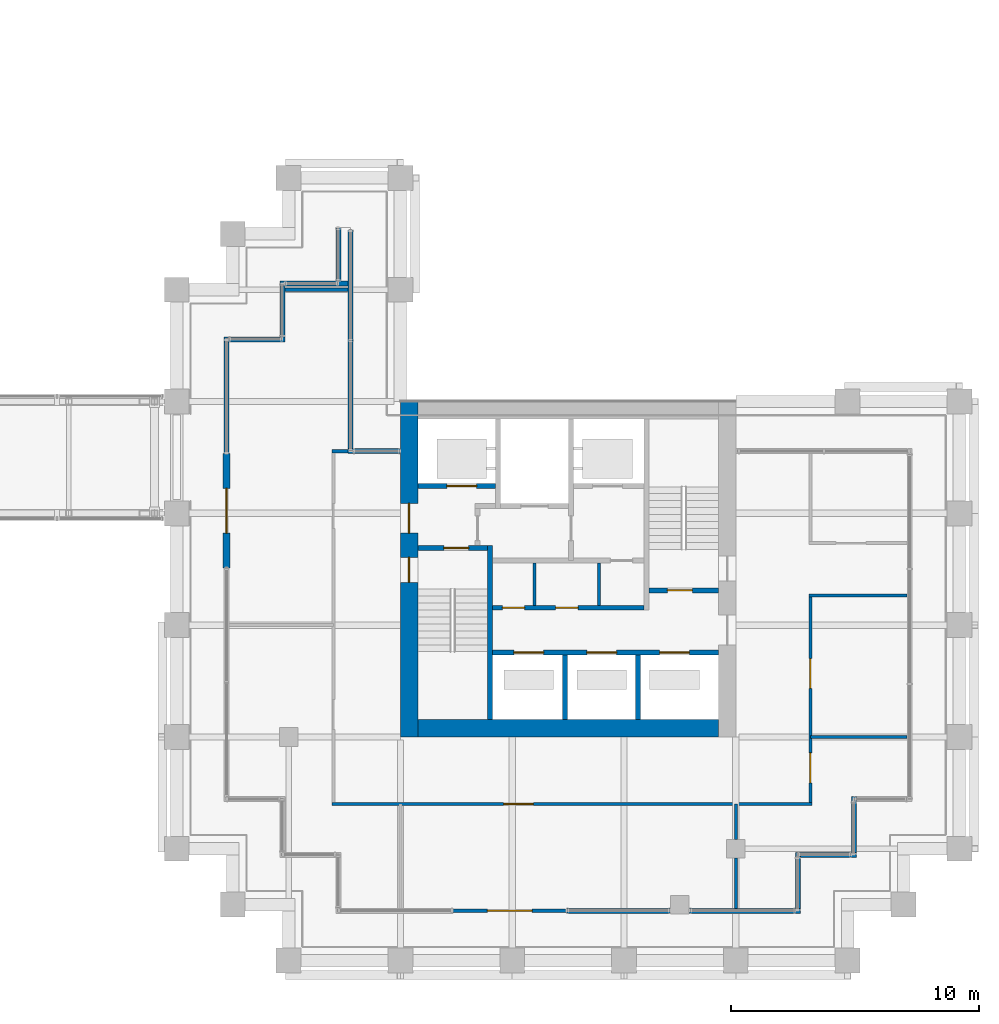
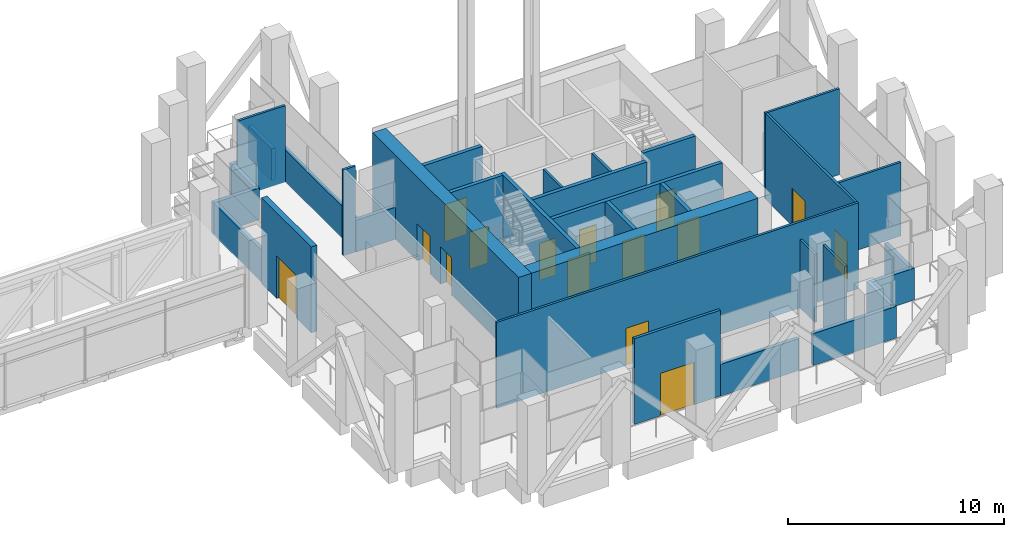
# One storey, part 35 of 48: 34 walls, 15 doors, 15 openings.
"""IFC4 building model written with IfcOpenShell, lengths in metres."""

from ifc_helpers import new_model, si_unit, direction, frame, frame_2d, origin, place, context, subcontext, project, spatial, rectangle, extrude, material, layer, layer_set, type_object, element, fill, save


model = new_model("IFC4")

# Units and contexts
model_context = context("Model", 3, precision=1e-05, world=origin(), true_north=direction((0.0, 1.0)))
body_context = subcontext(model_context, "Body", "Model", "MODEL_VIEW")
ifc_project = project(units=[si_unit("LENGTHUNIT", "METRE"), si_unit("AREAUNIT", "SQUARE_METRE"), si_unit("VOLUMEUNIT", "CUBIC_METRE"), si_unit("PLANEANGLEUNIT", "RADIAN"), si_unit("MASSUNIT", "GRAM", prefix="KILO")], contexts=[model_context])

# Site, building, storey
site_placement = place(None, origin())
site = spatial("IfcSite", under=ifc_project, at=site_placement, CompositionType="ELEMENT")
building_placement = place(site_placement, origin())
building = spatial("IfcBuilding", under=site, at=building_placement, Name="Altepetl Exchange Towers", CompositionType="ELEMENT")
storey_placement = place(building_placement, frame((0.0, 0.0, 138.800048828125)))
storey = spatial("IfcBuildingStorey", under=building, at=storey_placement, Name="L34 Refuge and sky lobby", CompositionType="ELEMENT", Elevation=138.800048828125)

# Wall
ifc_material_1 = material(Name="Concrete C70/85", Category="concrete")
ifc_layer_1 = layer(ifc_material_1, 0.699951171875)
ifc_layer_set_1 = layer_set([ifc_layer_1], Name="Concrete C70/85")
wall_type_1 = type_object("IfcWallType", Name="Core wall 700 reinforced concrete", PredefinedType="SHEAR", material=ifc_layer_set_1)
wall_1_placement = place(storey_placement, frame((104.199951171875, 36.35009765625, 0.0)))
element("IfcWall", 1, at=wall_1_placement, inside=storey, type_object=wall_type_1, Name="wall:B:L34:K-coreS", PredefinedType="SHEAR", context=body_context, shape_type="SweptSolid", body=[
    extrude(rectangle(XDim=12.10009765625, YDim=0.699951171875, at=frame_2d((6.050048828125, 0.0))), origin(), (0.0, 0.0, 1.0), 4.75),
])

# Wall, openings, doors
wall_2_placement = place(storey_placement, frame((103.85009765625, 36.0, 0.0), z_axis=(0.0, 0.0, 1.0), x_axis=(0.0, 1.0, 0.0)))
wall_2 = element("IfcWall", 2, at=wall_2_placement, inside=storey, type_object=wall_type_1, Name="wall:B:L34:K-coreW", PredefinedType="SHEAR", context=body_context, shape_type="SweptSolid", body=[
    extrude(rectangle(XDim=13.5, YDim=0.699951171875, at=frame_2d((6.75, 0.0))), origin(), (0.0, 0.0, 1.0), 4.75),
])
opening_1_placement = place(wall_2_placement, frame((8.199951171875, 0.0, 0.0)))
opening_1 = element("IfcOpeningElement", 3, at=opening_1_placement, cuts=wall_2, Name="Opening L34.B60", PredefinedType="OPENING", context=body_context, shape_type="SweptSolid", body=[
    extrude(rectangle(XDim=1.199951171875, YDim=2.10009765625, at=frame_2d((0.60009765625, 1.050048828125))), frame((0.0, 0.35986328125, 0.0), z_axis=(0.0, -1.0, 0.0), x_axis=(1.0, 0.0, 0.0)), (0.0, 0.0, 1.0), 0.719970703125),
])
opening_2_placement = place(wall_2_placement, frame((6.22509765625, 0.0, 0.0)))
opening_2 = element("IfcOpeningElement", 4, at=opening_2_placement, cuts=wall_2, Name="Opening L34.B63", PredefinedType="OPENING", context=body_context, shape_type="SweptSolid", body=[
    extrude(rectangle(XDim=1.0, YDim=2.10009765625, at=frame_2d((0.5, 1.050048828125))), frame((0.0, 0.35986328125, 0.0), z_axis=(0.0, -1.0, 0.0), x_axis=(1.0, 0.0, 0.0)), (0.0, 0.0, 1.0), 0.719970703125),
])
ifc_material_2 = material(Name="Steel and timber fire door", Category="steel")
door_type_1 = type_object("IfcDoorType", Name="Fire door 1000 x 2100 stair and lobby", OperationType="SINGLE_SWING_LEFT", PredefinedType="DOOR", material=ifc_material_2)
door_1_placement = place(opening_2_placement, frame((1.0, 0.0, 0.0), x_axis=(-1.0, 0.0, 0.0)))
door_1 = element("IfcDoor", 5, at=door_1_placement, inside=storey, type_object=door_type_1, Name="door:B:L34:K-dS1x", OperationType="SINGLE_SWING_RIGHT", OverallHeight=2.10009765625, OverallWidth=1.0, PredefinedType="DOOR", context=body_context, shape_type="SweptSolid", body=[
    extrude(rectangle(XDim=1.0, YDim=2.10009765625, at=frame_2d((0.5, 1.050048828125))), frame((0.0, 0.02490234375, 0.0), z_axis=(0.0, -1.0, 0.0), x_axis=(1.0, 0.0, 0.0)), (0.0, 0.0, 1.0), 0.050048828125),
])
fill(opening_2, door_1)
door_type_2 = type_object("IfcDoorType", Name="Fire door 1200 x 2100 lobby entry", OperationType="SINGLE_SWING_LEFT", PredefinedType="DOOR", material=ifc_material_2)
door_2_placement = place(opening_1_placement, frame((1.199951171875, 0.0, 0.0), x_axis=(-1.0, 0.0, 0.0)))
door_2 = element("IfcDoor", 6, at=door_2_placement, inside=storey, type_object=door_type_2, Name="door:B:L34:K-dLNW", OperationType="SINGLE_SWING_RIGHT", OverallHeight=2.10009765625, OverallWidth=1.199951171875, PredefinedType="DOOR", context=body_context, shape_type="SweptSolid", body=[
    extrude(rectangle(XDim=1.199951171875, YDim=2.10009765625, at=frame_2d((0.60009765625, 1.050048828125))), frame((0.0, 0.02490234375, 0.0), z_axis=(0.0, -1.0, 0.0), x_axis=(1.0, 0.0, 0.0)), (0.0, 0.0, 1.0), 0.050048828125),
])
fill(opening_1, door_2)

# Wall, opening, door
ifc_material_3 = material(Name="Aluminium composite cladding", Category="aluminium")
ifc_layer_2 = layer(ifc_material_3, 0.14990234375)
ifc_layer_set_2 = layer_set([ifc_layer_2], Name="Aluminium composite cladding")
wall_type_2 = type_object("IfcWallType", Name="Infill wall 150 aluminium panel", PredefinedType="SOLIDWALL", material=ifc_layer_set_2)
wall_3_placement = place(storey_placement, frame((105.60009765625, 29.0, 0.0)))
wall_3 = element("IfcWall", 7, at=wall_3_placement, inside=storey, type_object=wall_type_2, Name="Loggia door bay wall", PredefinedType="SOLIDWALL", context=body_context, shape_type="SweptSolid", body=[
    extrude(rectangle(XDim=4.599853515625, YDim=0.14990234375, at=frame_2d((2.2998046875, 0.0))), origin(), (0.0, 0.0, 1.0), 4.849853515625),
])
opening_3_placement = place(wall_3_placement, frame((1.39990234375, 0.0, 0.0)))
opening_3 = element("IfcOpeningElement", 8, at=opening_3_placement, cuts=wall_3, Name="Opening L34.B90", PredefinedType="OPENING", context=body_context, shape_type="SweptSolid", body=[
    extrude(rectangle(XDim=1.800048828125, YDim=2.39990234375, at=frame_2d((0.89990234375, 1.199951171875))), frame((0.0, 0.0849609375, 0.0), z_axis=(0.0, -1.0, 0.0), x_axis=(1.0, 0.0, 0.0)), (0.0, 0.0, 1.0), 0.169921875),
])
ifc_material_4 = material(Name="Aluminium 6063-T6 and glass", Category="aluminium")
door_type_3 = type_object("IfcDoorType", Name="Glazed door pair 1800x2400", OperationType="DOUBLE_DOOR_DOUBLE_SWING", PredefinedType="NOTDEFINED", material=ifc_material_4)
door_3_placement = place(opening_3_placement, frame((1.800048828125, 0.0, 0.0), x_axis=(-1.0, 0.0, 0.0)))
door_3 = element("IfcDoor", 9, at=door_3_placement, inside=storey, type_object=door_type_3, Name="Loggia door", OperationType="DOUBLE_DOOR_DOUBLE_SWING", OverallHeight=2.39990234375, OverallWidth=1.800048828125, PredefinedType="NOTDEFINED", context=body_context, shape_type="SweptSolid", body=[
    extrude(rectangle(XDim=1.800048828125, YDim=2.39990234375, at=frame_2d((0.89990234375, 1.199951171875))), frame((0.0, 0.02490234375, 0.0), z_axis=(0.0, -1.0, 0.0), x_axis=(1.0, 0.0, 0.0)), (0.0, 0.0, 1.0), 0.050048828125),
])
fill(opening_3, door_3)

# Wall, openings, doors
ifc_material_5 = material(Name="Concrete blockwork", Category="masonry")
ifc_layer_3 = layer(ifc_material_5, 0.199951171875)
ifc_layer_set_3 = layer_set([ifc_layer_3], Name="Concrete blockwork")
wall_type_3 = type_object("IfcWallType", Name="Lobby wall 200 blockwork", PredefinedType="PARTITIONING", material=ifc_layer_set_3)
wall_4_placement = place(storey_placement, frame((107.199951171875, 41.199951171875, 0.0)))
wall_4 = element("IfcWall", 10, at=wall_4_placement, inside=storey, type_object=wall_type_3, Name="wall:B:L34:K-zoneS", PredefinedType="PARTITIONING", context=body_context, shape_type="SweptSolid", body=[
    extrude(rectangle(XDim=6.10009765625, YDim=0.199951171875, at=frame_2d((3.050048828125, 0.0))), origin(), (0.0, 0.0, 1.0), 4.75),
])
opening_4_placement = place(wall_4_placement, frame((0.39990234375, 0.0, 0.0)))
opening_4 = element("IfcOpeningElement", 11, at=opening_4_placement, cuts=wall_4, Name="Opening L34.B68", PredefinedType="OPENING", context=body_context, shape_type="SweptSolid", body=[
    extrude(rectangle(XDim=0.89990234375, YDim=2.10009765625, at=frame_2d((0.449951171875, 1.050048828125))), frame((0.0, 0.10986328125, 0.0), z_axis=(0.0, -1.0, 0.0), x_axis=(1.0, 0.0, 0.0)), (0.0, 0.0, 1.0), 0.219970703125),
])
opening_5_placement = place(wall_4_placement, frame((2.550048828125, 0.0, 0.0)))
opening_5 = element("IfcOpeningElement", 12, at=opening_5_placement, cuts=wall_4, Name="Opening L34.B69", PredefinedType="OPENING", context=body_context, shape_type="SweptSolid", body=[
    extrude(rectangle(XDim=0.89990234375, YDim=2.10009765625, at=frame_2d((0.449951171875, 1.050048828125))), frame((0.0, 0.10986328125, 0.0), z_axis=(0.0, -1.0, 0.0), x_axis=(1.0, 0.0, 0.0)), (0.0, 0.0, 1.0), 0.219970703125),
])
door_type_4 = type_object("IfcDoorType", Name="Fire door 900 x 2100 service room", OperationType="SINGLE_SWING_LEFT", PredefinedType="DOOR", material=ifc_material_2)
door_4_placement = place(opening_4_placement, origin())
door_4 = element("IfcDoor", 13, at=door_4_placement, inside=storey, type_object=door_type_4, Name="door:B:L34:K-dz1", OperationType="SINGLE_SWING_RIGHT", OverallHeight=2.10009765625, OverallWidth=0.89990234375, PredefinedType="DOOR", context=body_context, shape_type="SweptSolid", body=[
    extrude(rectangle(XDim=0.89990234375, YDim=2.10009765625, at=frame_2d((0.449951171875, 1.050048828125))), frame((0.0, 0.02490234375, 0.0), z_axis=(0.0, -1.0, 0.0), x_axis=(1.0, 0.0, 0.0)), (0.0, 0.0, 1.0), 0.050048828125),
])
fill(opening_4, door_4)
door_5_placement = place(opening_5_placement, origin())
door_5 = element("IfcDoor", 14, at=door_5_placement, inside=storey, type_object=door_type_4, Name="door:B:L34:K-dz2", OperationType="SINGLE_SWING_LEFT", OverallHeight=2.10009765625, OverallWidth=0.89990234375, PredefinedType="DOOR", context=body_context, shape_type="SweptSolid", body=[
    extrude(rectangle(XDim=0.89990234375, YDim=2.10009765625, at=frame_2d((0.449951171875, 1.050048828125))), frame((0.0, 0.02490234375, 0.0), z_axis=(0.0, -1.0, 0.0), x_axis=(1.0, 0.0, 0.0)), (0.0, 0.0, 1.0), 0.050048828125),
])
fill(opening_5, door_5)

# Walls
ifc_material_6 = material(Name="Gypsum board on steel studs", Category="steel")
ifc_layer_4 = layer(ifc_material_6, 0.125)
ifc_layer_set_4 = layer_set([ifc_layer_4], Name="Gypsum board on steel studs")
wall_type_4 = type_object("IfcWallType", Name="Partition 125 gypsum board on steel studs", PredefinedType="PARTITIONING", material=ifc_layer_set_4)
for number, where, z_axis, x_axis, name in (
    (15, (108.89990234375, 41.300048828125, 0.0), (0.0, 0.0, 1.0), (0.0, 1.0, 0.0), "wall:B:L34:K-zp1"),
    (16, (111.5, 41.300048828125, 0.0), (0.0, 0.0, 1.0), (0.0, 1.0, 0.0), "wall:B:L34:K-zp2"),
):
    element("IfcWall", number, at=place(storey_placement, frame(where, z_axis=z_axis, x_axis=x_axis)), inside=storey, type_object=wall_type_4, Name=name, PredefinedType="PARTITIONING", context=body_context, shape_type="SweptSolid", body=[
        extrude(rectangle(XDim=1.699951171875, YDim=0.125, at=frame_2d((0.85009765625, 0.0))), origin(), (0.0, 0.0, 1.0), 4.75),
    ])

# Wall, opening, door
wall_5_placement = place(storey_placement, frame((100.737548828125, 33.300048828125, 0.0)))
wall_5 = element("IfcWall", 17, at=wall_5_placement, inside=storey, type_object=wall_type_4, Name="wall:B:L34:P01", PredefinedType="PARTITIONING", context=body_context, shape_type="SweptSolid", body=[
    extrude(rectangle(XDim=19.324951171875, YDim=0.125, at=frame_2d((9.66259765625, 0.0))), origin(), (0.0, 0.0, 1.0), 4.849853515625),
])
opening_6_placement = place(wall_5_placement, frame((6.91748046875, 0.0, 0.0)))
opening_6 = element("IfcOpeningElement", 18, at=opening_6_placement, cuts=wall_5, Name="Opening L34.B02", PredefinedType="OPENING", context=body_context, shape_type="SweptSolid", body=[
    extrude(rectangle(XDim=1.199951171875, YDim=2.10009765625, at=frame_2d((0.60009765625, 1.050048828125))), frame((0.0, 0.072509765625, 0.0), z_axis=(0.0, -1.0, 0.0), x_axis=(1.0, 0.0, 0.0)), (0.0, 0.0, 1.0), 0.14501953125),
])
door_type_5 = type_object("IfcDoorType", Name="Fire door 1200 x 2100 plant and refuge", OperationType="SINGLE_SWING_LEFT", PredefinedType="DOOR", material=ifc_material_2)
door_6_placement = place(opening_6_placement, frame((1.199951171875, 0.0, 0.0), x_axis=(-1.0, 0.0, 0.0)))
door_6 = element("IfcDoor", 19, at=door_6_placement, inside=storey, type_object=door_type_5, Name="door:B:L34:02", OperationType="SINGLE_SWING_LEFT", OverallHeight=2.10009765625, OverallWidth=1.199951171875, PredefinedType="DOOR", context=body_context, shape_type="SweptSolid", body=[
    extrude(rectangle(XDim=1.199951171875, YDim=2.10009765625, at=frame_2d((0.60009765625, 1.050048828125))), frame((0.0, 0.02490234375, 0.0), z_axis=(0.0, -1.0, 0.0), x_axis=(1.0, 0.0, 0.0)), (0.0, 0.0, 1.0), 0.050048828125),
])
fill(opening_6, door_6)

# Walls
wall_6_placement = place(storey_placement, frame((120.0, 36.0, 0.0)))
element("IfcWall", 20, at=wall_6_placement, inside=storey, type_object=wall_type_4, Name="wall:B:L34:P02", PredefinedType="PARTITIONING", context=body_context, shape_type="SweptSolid", body=[
    extrude(rectangle(XDim=3.89990234375, YDim=0.125, at=frame_2d((1.949951171875, 0.0))), origin(), (0.0, 0.0, 1.0), 4.161865234375),
])
wall_7_placement = place(storey_placement, frame((119.9375, 41.699951171875, 0.0)))
element("IfcWall", 21, at=wall_7_placement, inside=storey, type_object=wall_type_4, Name="wall:B:L34:P04", PredefinedType="PARTITIONING", context=body_context, shape_type="SweptSolid", body=[
    extrude(rectangle(XDim=3.96240234375, YDim=0.125, at=frame_2d((1.981201171875, 0.0))), origin(), (0.0, 0.0, 1.0), 4.849853515625),
])
wall_8_placement = place(storey_placement, frame((100.737548828125, 47.5, 0.0)))
element("IfcWall", 22, at=wall_8_placement, inside=storey, type_object=wall_type_4, Name="wall:B:L34:P06", PredefinedType="PARTITIONING", context=body_context, shape_type="SweptSolid", body=[
    extrude(rectangle(XDim=0.662353515625, YDim=0.125, at=frame_2d((0.3310546875, 0.0))), origin(), (0.0, 0.0, 1.0), 4.849853515625),
])
wall_9_placement = place(storey_placement, frame((98.85009765625, 54.0, 0.0)))
element("IfcWall", 23, at=wall_9_placement, inside=storey, type_object=wall_type_4, Name="wall:B:L34:P07", PredefinedType="PARTITIONING", context=body_context, shape_type="SweptSolid", body=[
    extrude(rectangle(XDim=2.5498046875, YDim=0.125, at=frame_2d((1.27490234375, 0.0))), origin(), (0.0, 0.0, 1.0), 4.321044921875),
])
wall_10_placement = place(storey_placement, frame((117.0, 29.10009765625, 0.0), z_axis=(0.0, 0.0, 1.0), x_axis=(0.0, 1.0, 0.0)))
element("IfcWall", 24, at=wall_10_placement, inside=storey, type_object=wall_type_4, Name="wall:B:L34:P10", PredefinedType="PARTITIONING", context=body_context, shape_type="SweptSolid", body=[
    extrude(rectangle(XDim=2.02490234375, YDim=0.125, at=frame_2d((1.012451171875, 0.0))), origin(), (0.0, 0.0, 1.0), 4.849853515625),
])
wall_11_placement = place(storey_placement, frame((117.0, 31.875, 0.0), z_axis=(0.0, 0.0, 1.0), x_axis=(0.0, 1.0, 0.0)))
element("IfcWall", 25, at=wall_11_placement, inside=storey, type_object=wall_type_4, Name="wall:B:L34:P11", PredefinedType="PARTITIONING", context=body_context, shape_type="SweptSolid", body=[
    extrude(rectangle(XDim=1.425048828125, YDim=0.125, at=frame_2d((0.71240234375, 0.0))), origin(), (0.0, 0.0, 1.0), 3.849853515625),
])

# Wall, openings, doors
wall_12_placement = place(storey_placement, frame((120.0, 33.362548828125, 0.0), z_axis=(0.0, 0.0, 1.0), x_axis=(0.0, 1.0, 0.0)))
wall_12 = element("IfcWall", 26, at=wall_12_placement, inside=storey, type_object=wall_type_4, Name="wall:B:L34:P12", PredefinedType="PARTITIONING", context=body_context, shape_type="SweptSolid", body=[
    extrude(rectangle(XDim=8.27490234375, YDim=0.125, at=frame_2d((4.137451171875, 0.0))), origin(), (0.0, 0.0, 1.0), 4.849853515625),
])
opening_7_placement = place(wall_12_placement, frame((0.79248046875, 0.0, 0.0)))
opening_7 = element("IfcOpeningElement", 27, at=opening_7_placement, cuts=wall_12, Name="Opening L34.B03", PredefinedType="OPENING", context=body_context, shape_type="SweptSolid", body=[
    extrude(rectangle(XDim=1.199951171875, YDim=2.10009765625, at=frame_2d((0.60009765625, 1.050048828125))), frame((0.0, 0.072509765625, 0.0), z_axis=(0.0, -1.0, 0.0), x_axis=(1.0, 0.0, 0.0)), (0.0, 0.0, 1.0), 0.14501953125),
])
opening_8_placement = place(wall_12_placement, frame((4.58740234375, 0.0, 0.0)))
opening_8 = element("IfcOpeningElement", 28, at=opening_8_placement, cuts=wall_12, Name="Opening L34.B04", PredefinedType="OPENING", context=body_context, shape_type="SweptSolid", body=[
    extrude(rectangle(XDim=1.199951171875, YDim=2.10009765625, at=frame_2d((0.60009765625, 1.050048828125))), frame((0.0, 0.072509765625, 0.0), z_axis=(0.0, -1.0, 0.0), x_axis=(1.0, 0.0, 0.0)), (0.0, 0.0, 1.0), 0.14501953125),
])
door_7_placement = place(opening_7_placement, origin())
door_7 = element("IfcDoor", 29, at=door_7_placement, inside=storey, type_object=door_type_5, Name="door:B:L34:03", OperationType="SINGLE_SWING_LEFT", OverallHeight=2.10009765625, OverallWidth=1.199951171875, PredefinedType="DOOR", context=body_context, shape_type="SweptSolid", body=[
    extrude(rectangle(XDim=1.199951171875, YDim=2.10009765625, at=frame_2d((0.60009765625, 1.050048828125))), frame((0.0, 0.02490234375, 0.0), z_axis=(0.0, -1.0, 0.0), x_axis=(1.0, 0.0, 0.0)), (0.0, 0.0, 1.0), 0.050048828125),
])
fill(opening_7, door_7)
door_8_placement = place(opening_8_placement, frame((1.199951171875, 0.0, 0.0), x_axis=(-1.0, 0.0, 0.0)))
door_8 = element("IfcDoor", 30, at=door_8_placement, inside=storey, type_object=door_type_5, Name="door:B:L34:04", OperationType="SINGLE_SWING_RIGHT", OverallHeight=2.10009765625, OverallWidth=1.199951171875, PredefinedType="DOOR", context=body_context, shape_type="SweptSolid", body=[
    extrude(rectangle(XDim=1.199951171875, YDim=2.10009765625, at=frame_2d((0.60009765625, 1.050048828125))), frame((0.0, 0.02490234375, 0.0), z_axis=(0.0, -1.0, 0.0), x_axis=(1.0, 0.0, 0.0)), (0.0, 0.0, 1.0), 0.050048828125),
])
fill(opening_8, door_8)

# Walls
ifc_material_7 = material(Name="Cantera limestone cladding", Category="masonry")
ifc_layer_5 = layer(ifc_material_7, 0.199951171875)
ifc_layer_set_5 = layer_set([ifc_layer_5], Name="Cantera limestone cladding")
wall_type_5 = type_object("IfcWallType", Name="Refuge stone wall 200", PredefinedType="ELEMENTEDWALL", material=ifc_layer_set_5)
wall_13_placement = place(storey_placement, frame((98.85009765625, 52.0, 0.0), z_axis=(0.0, 0.0, 1.0), x_axis=(-1.0, 0.0, 0.0)))
element("IfcWall", 31, at=wall_13_placement, inside=storey, type_object=wall_type_5, Name="Refuge stone wall", PredefinedType="ELEMENTEDWALL", context=body_context, shape_type="SweptSolid", body=[
    extrude(rectangle(XDim=2.4501953125, YDim=0.199951171875, at=frame_2d((1.22509765625, 0.0))), origin(), (0.0, 0.0, 1.0), 1.800048828125),
])
wall_14_placement = place(storey_placement, frame((96.5, 51.89990234375, 0.0), z_axis=(0.0, 0.0, 1.0), x_axis=(0.0, -1.0, 0.0)))
element("IfcWall", 32, at=wall_14_placement, inside=storey, type_object=wall_type_5, Name="Refuge stone wall", PredefinedType="ELEMENTEDWALL", context=body_context, shape_type="SweptSolid", body=[
    extrude(rectangle(XDim=4.5, YDim=0.199951171875, at=frame_2d((2.25, 0.0))), origin(), (0.0, 0.0, 1.0), 1.800048828125),
])
wall_15_placement = place(storey_placement, frame((110.199951171875, 29.0, 0.0)))
element("IfcWall", 33, at=wall_15_placement, inside=storey, type_object=wall_type_5, Name="Refuge stone wall", PredefinedType="ELEMENTEDWALL", context=body_context, shape_type="SweptSolid", body=[
    extrude(rectangle(XDim=4.175048828125, YDim=0.199951171875, at=frame_2d((2.08740234375, 0.0))), origin(), (0.0, 0.0, 1.0), 1.800048828125),
])
wall_16_placement = place(storey_placement, frame((115.125, 29.0, 0.0)))
element("IfcWall", 34, at=wall_16_placement, inside=storey, type_object=wall_type_5, Name="Refuge stone wall", PredefinedType="ELEMENTEDWALL", context=body_context, shape_type="SweptSolid", body=[
    extrude(rectangle(XDim=4.47509765625, YDim=0.199951171875, at=frame_2d((2.237548828125, 0.0))), origin(), (0.0, 0.0, 1.0), 1.800048828125),
])
wall_17_placement = place(storey_placement, frame((119.5, 29.10009765625, 0.0), z_axis=(0.0, 0.0, 1.0), x_axis=(0.0, 1.0, 0.0)))
element("IfcWall", 35, at=wall_17_placement, inside=storey, type_object=wall_type_5, Name="Refuge stone wall", PredefinedType="ELEMENTEDWALL", context=body_context, shape_type="SweptSolid", body=[
    extrude(rectangle(XDim=2.25, YDim=0.199951171875, at=frame_2d((1.125, 0.0))), origin(), (0.0, 0.0, 1.0), 1.800048828125),
])
wall_18_placement = place(storey_placement, frame((119.60009765625, 31.25, 0.0)))
element("IfcWall", 36, at=wall_18_placement, inside=storey, type_object=wall_type_5, Name="Refuge stone wall", PredefinedType="ELEMENTEDWALL", context=body_context, shape_type="SweptSolid", body=[
    extrude(rectangle(XDim=2.25, YDim=0.199951171875, at=frame_2d((1.125, 0.0))), origin(), (0.0, 0.0, 1.0), 1.800048828125),
])
wall_19_placement = place(storey_placement, frame((121.75, 31.35009765625, 0.0), z_axis=(0.0, 0.0, 1.0), x_axis=(0.0, 1.0, 0.0)))
element("IfcWall", 37, at=wall_19_placement, inside=storey, type_object=wall_type_5, Name="Refuge stone wall", PredefinedType="ELEMENTEDWALL", context=body_context, shape_type="SweptSolid", body=[
    extrude(rectangle(XDim=2.25, YDim=0.199951171875, at=frame_2d((1.125, 0.0))), origin(), (0.0, 0.0, 1.0), 1.800048828125),
])
wall_20_placement = place(storey_placement, frame((103.5, 47.5, 0.0), z_axis=(0.0, 0.0, 1.0), x_axis=(-1.0, 0.0, 0.0)))
element("IfcWall", 38, at=wall_20_placement, inside=storey, type_object=wall_type_5, Name="Refuge stone wall", PredefinedType="ELEMENTEDWALL", context=body_context, shape_type="SweptSolid", body=[
    extrude(rectangle(XDim=2.10009765625, YDim=0.199951171875, at=frame_2d((1.050048828125, 0.0))), origin(), (0.0, 0.0, 1.0), 1.800048828125),
])
wall_21_placement = place(storey_placement, frame((101.5, 47.60009765625, 0.0), z_axis=(0.0, 0.0, 1.0), x_axis=(0.0, 1.0, 0.0)))
element("IfcWall", 39, at=wall_21_placement, inside=storey, type_object=wall_type_5, Name="Refuge stone wall", PredefinedType="ELEMENTEDWALL", context=body_context, shape_type="SweptSolid", body=[
    extrude(rectangle(XDim=8.7998046875, YDim=0.199951171875, at=frame_2d((4.39990234375, 0.0))), origin(), (0.0, 0.0, 1.0), 1.800048828125),
])
wall_22_placement = place(storey_placement, frame((101.0, 56.5, 0.0), z_axis=(0.0, 0.0, 1.0), x_axis=(0.0, -1.0, 0.0)))
element("IfcWall", 40, at=wall_22_placement, inside=storey, type_object=wall_type_5, Name="Refuge stone wall", PredefinedType="ELEMENTEDWALL", context=body_context, shape_type="SweptSolid", body=[
    extrude(rectangle(XDim=2.14990234375, YDim=0.199951171875, at=frame_2d((1.074951171875, 0.0))), origin(), (0.0, 0.0, 1.0), 1.800048828125),
])
wall_23_placement = place(storey_placement, frame((101.39990234375, 54.25, 0.0), z_axis=(0.0, 0.0, 1.0), x_axis=(-1.0, 0.0, 0.0)))
element("IfcWall", 41, at=wall_23_placement, inside=storey, type_object=wall_type_5, Name="Refuge stone wall", PredefinedType="ELEMENTEDWALL", context=body_context, shape_type="SweptSolid", body=[
    extrude(rectangle(XDim=2.75, YDim=0.199951171875, at=frame_2d((1.375, 0.0))), origin(), (0.0, 0.0, 1.0), 1.800048828125),
])
wall_24_placement = place(storey_placement, frame((98.75, 54.14990234375, 0.0), z_axis=(0.0, 0.0, 1.0), x_axis=(0.0, -1.0, 0.0)))
element("IfcWall", 42, at=wall_24_placement, inside=storey, type_object=wall_type_5, Name="Refuge stone wall", PredefinedType="ELEMENTEDWALL", context=body_context, shape_type="SweptSolid", body=[
    extrude(rectangle(XDim=2.0498046875, YDim=0.199951171875, at=frame_2d((1.02490234375, 0.0))), origin(), (0.0, 0.0, 1.0), 1.800048828125),
])
ifc_material_8 = material(Name="Concrete C40/50", Category="concrete")
ifc_layer_6 = layer(ifc_material_8, 0.199951171875)
ifc_layer_set_6 = layer_set([ifc_layer_6], Name="Concrete C40/50")
wall_type_6 = type_object("IfcWallType", Name="Shaft wall 200 reinforced concrete", PredefinedType="SHEAR", material=ifc_layer_set_6)
for number, where, z_axis, x_axis, name in (
    (43, (110.13330078125, 36.699951171875, 0.0), (0.0, 0.0, 1.0), (0.0, 1.0, 0.0), "wall:B:L34:K-divS1"),
    (44, (113.066650390625, 36.699951171875, 0.0), (0.0, 0.0, 1.0), (0.0, 1.0, 0.0), "wall:B:L34:K-divS2"),
):
    element("IfcWall", number, at=place(storey_placement, frame(where, z_axis=z_axis, x_axis=x_axis)), inside=storey, type_object=wall_type_6, Name=name, PredefinedType="SHEAR", context=body_context, shape_type="SweptSolid", body=[
        extrude(rectangle(XDim=2.60009765625, YDim=0.199951171875, at=frame_2d((1.300048828125, 0.0))), origin(), (0.0, 0.0, 1.0), 4.75),
    ])

# Wall, opening, door
wall_25_placement = place(storey_placement, frame((104.199951171875, 46.10009765625, 0.0)))
wall_25 = element("IfcWall", 45, at=wall_25_placement, inside=storey, type_object=wall_type_6, Name="wall:B:L34:K-frontNa", PredefinedType="SHEAR", context=body_context, shape_type="SweptSolid", body=[
    extrude(rectangle(XDim=3.13330078125, YDim=0.199951171875, at=frame_2d((1.566650390625, 0.0))), origin(), (0.0, 0.0, 1.0), 4.75),
])
opening_9_placement = place(wall_25_placement, frame((1.166748046875, 0.0, 0.0)))
opening_9 = element("IfcOpeningElement", 46, at=opening_9_placement, cuts=wall_25, Name="Opening L34.B75", PredefinedType="OPENING", context=body_context, shape_type="SweptSolid", body=[
    extrude(rectangle(XDim=1.199951171875, YDim=2.10009765625, at=frame_2d((0.60009765625, 1.050048828125))), frame((0.0, 0.10986328125, 0.0), z_axis=(0.0, -1.0, 0.0), x_axis=(1.0, 0.0, 0.0)), (0.0, 0.0, 1.0), 0.219970703125),
])
ifc_material_9 = material(Name="Stainless steel", Category="steel")
door_type_6 = type_object("IfcDoorType", Name="Lift landing door 1200 x 2100", OperationType="SLIDING_TO_LEFT", PredefinedType="DOOR", material=ifc_material_9)
door_9_placement = place(opening_9_placement, origin())
door_9 = element("IfcDoor", 47, at=door_9_placement, inside=storey, type_object=door_type_6, Name="Landing door P4", OperationType="SLIDING_TO_LEFT", OverallHeight=2.10009765625, OverallWidth=1.199951171875, PredefinedType="DOOR", context=body_context, shape_type="SweptSolid", body=[
    extrude(rectangle(XDim=1.199951171875, YDim=2.10009765625, at=frame_2d((0.60009765625, 1.050048828125))), frame((0.0, 0.02490234375, 0.0), z_axis=(0.0, -1.0, 0.0), x_axis=(1.0, 0.0, 0.0)), (0.0, 0.0, 1.0), 0.050048828125),
])
fill(opening_9, door_9)

# Wall, openings, doors
wall_26_placement = place(storey_placement, frame((107.199951171875, 39.39990234375, 0.0)))
wall_26 = element("IfcWall", 48, at=wall_26_placement, inside=storey, type_object=wall_type_6, Name="wall:B:L34:K-frontS", PredefinedType="SHEAR", context=body_context, shape_type="SweptSolid", body=[
    extrude(rectangle(XDim=9.10009765625, YDim=0.199951171875, at=frame_2d((4.550048828125, 0.0))), origin(), (0.0, 0.0, 1.0), 4.75),
])
opening_10_placement = place(wall_26_placement, frame((0.86669921875, 0.0, 0.0)))
opening_10 = element("IfcOpeningElement", 49, at=opening_10_placement, cuts=wall_26, Name="Opening L34.B72", PredefinedType="OPENING", context=body_context, shape_type="SweptSolid", body=[
    extrude(rectangle(XDim=1.199951171875, YDim=2.10009765625, at=frame_2d((0.60009765625, 1.050048828125))), frame((0.0, 0.10986328125, 0.0), z_axis=(0.0, -1.0, 0.0), x_axis=(1.0, 0.0, 0.0)), (0.0, 0.0, 1.0), 0.219970703125),
])
opening_11_placement = place(wall_26_placement, frame((3.800048828125, 0.0, 0.0)))
opening_11 = element("IfcOpeningElement", 50, at=opening_11_placement, cuts=wall_26, Name="Opening L34.B73", PredefinedType="OPENING", context=body_context, shape_type="SweptSolid", body=[
    extrude(rectangle(XDim=1.199951171875, YDim=2.10009765625, at=frame_2d((0.60009765625, 1.050048828125))), frame((0.0, 0.10986328125, 0.0), z_axis=(0.0, -1.0, 0.0), x_axis=(1.0, 0.0, 0.0)), (0.0, 0.0, 1.0), 0.219970703125),
])
opening_12_placement = place(wall_26_placement, frame((6.7333984375, 0.0, 0.0)))
opening_12 = element("IfcOpeningElement", 51, at=opening_12_placement, cuts=wall_26, Name="Opening L34.B74", PredefinedType="OPENING", context=body_context, shape_type="SweptSolid", body=[
    extrude(rectangle(XDim=1.199951171875, YDim=2.10009765625, at=frame_2d((0.60009765625, 1.050048828125))), frame((0.0, 0.10986328125, 0.0), z_axis=(0.0, -1.0, 0.0), x_axis=(1.0, 0.0, 0.0)), (0.0, 0.0, 1.0), 0.219970703125),
])
door_10_placement = place(opening_10_placement, origin())
door_10 = element("IfcDoor", 52, at=door_10_placement, inside=storey, type_object=door_type_6, Name="Landing door P1", OperationType="SLIDING_TO_LEFT", OverallHeight=2.10009765625, OverallWidth=1.199951171875, PredefinedType="DOOR", context=body_context, shape_type="SweptSolid", body=[
    extrude(rectangle(XDim=1.199951171875, YDim=2.10009765625, at=frame_2d((0.60009765625, 1.050048828125))), frame((0.0, 0.02490234375, 0.0), z_axis=(0.0, -1.0, 0.0), x_axis=(1.0, 0.0, 0.0)), (0.0, 0.0, 1.0), 0.050048828125),
])
fill(opening_10, door_10)
door_11_placement = place(opening_11_placement, origin())
door_11 = element("IfcDoor", 53, at=door_11_placement, inside=storey, type_object=door_type_6, Name="Landing door P2", OperationType="SLIDING_TO_LEFT", OverallHeight=2.10009765625, OverallWidth=1.199951171875, PredefinedType="DOOR", context=body_context, shape_type="SweptSolid", body=[
    extrude(rectangle(XDim=1.199951171875, YDim=2.10009765625, at=frame_2d((0.60009765625, 1.050048828125))), frame((0.0, 0.02490234375, 0.0), z_axis=(0.0, -1.0, 0.0), x_axis=(1.0, 0.0, 0.0)), (0.0, 0.0, 1.0), 0.050048828125),
])
fill(opening_11, door_11)
door_12_placement = place(opening_12_placement, origin())
door_12 = element("IfcDoor", 54, at=door_12_placement, inside=storey, type_object=door_type_6, Name="Landing door P3", OperationType="SLIDING_TO_LEFT", OverallHeight=2.10009765625, OverallWidth=1.199951171875, PredefinedType="DOOR", context=body_context, shape_type="SweptSolid", body=[
    extrude(rectangle(XDim=1.199951171875, YDim=2.10009765625, at=frame_2d((0.60009765625, 1.050048828125))), frame((0.0, 0.02490234375, 0.0), z_axis=(0.0, -1.0, 0.0), x_axis=(1.0, 0.0, 0.0)), (0.0, 0.0, 1.0), 0.050048828125),
])
fill(opening_12, door_12)

# Wall
ifc_layer_7 = layer(ifc_material_8, 0.199951171875)
ifc_layer_set_7 = layer_set([ifc_layer_7], Name="Concrete C40/50")
wall_type_7 = type_object("IfcWallType", Name="Stair wall 200 reinforced concrete", PredefinedType="SHEAR", material=ifc_layer_set_7)
wall_27_placement = place(storey_placement, frame((107.10009765625, 36.699951171875, 0.0), z_axis=(0.0, 0.0, 1.0), x_axis=(0.0, 1.0, 0.0)))
element("IfcWall", 55, at=wall_27_placement, inside=storey, type_object=wall_type_7, Name="wall:B:L34:K-stS1E", PredefinedType="SHEAR", context=body_context, shape_type="SweptSolid", body=[
    extrude(rectangle(XDim=7.0, YDim=0.199951171875, at=frame_2d((3.5, 0.0))), origin(), (0.0, 0.0, 1.0), 4.75),
])

# Wall, opening, door
wall_28_placement = place(storey_placement, frame((104.199951171875, 43.60009765625, 0.0)))
wall_28 = element("IfcWall", 56, at=wall_28_placement, inside=storey, type_object=wall_type_7, Name="wall:B:L34:K-stS1N", PredefinedType="SHEAR", context=body_context, shape_type="SweptSolid", body=[
    extrude(rectangle(XDim=2.800048828125, YDim=0.199951171875, at=frame_2d((1.39990234375, 0.0))), origin(), (0.0, 0.0, 1.0), 4.75),
])
opening_13_placement = place(wall_28_placement, frame((1.050048828125, 0.0, 0.0)))
opening_13 = element("IfcOpeningElement", 57, at=opening_13_placement, cuts=wall_28, Name="Opening L34.B62", PredefinedType="OPENING", context=body_context, shape_type="SweptSolid", body=[
    extrude(rectangle(XDim=1.0, YDim=2.10009765625, at=frame_2d((0.5, 1.050048828125))), frame((0.0, 0.10986328125, 0.0), z_axis=(0.0, -1.0, 0.0), x_axis=(1.0, 0.0, 0.0)), (0.0, 0.0, 1.0), 0.219970703125),
])
door_13_placement = place(opening_13_placement, frame((1.0, 0.0, 0.0), x_axis=(-1.0, 0.0, 0.0)))
door_13 = element("IfcDoor", 58, at=door_13_placement, inside=storey, type_object=door_type_1, Name="door:B:L34:K-dS1in", OperationType="SINGLE_SWING_LEFT", OverallHeight=2.10009765625, OverallWidth=1.0, PredefinedType="DOOR", context=body_context, shape_type="SweptSolid", body=[
    extrude(rectangle(XDim=1.0, YDim=2.10009765625, at=frame_2d((0.5, 1.050048828125))), frame((0.0, 0.02490234375, 0.0), z_axis=(0.0, -1.0, 0.0), x_axis=(1.0, 0.0, 0.0)), (0.0, 0.0, 1.0), 0.050048828125),
])
fill(opening_13, door_13)

wall_29_placement = place(storey_placement, frame((113.5, 41.89990234375, 0.0)))
wall_29 = element("IfcWall", 59, at=wall_29_placement, inside=storey, type_object=wall_type_7, Name="wall:B:L34:K-stS2S", PredefinedType="SHEAR", context=body_context, shape_type="SweptSolid", body=[
    extrude(rectangle(XDim=2.800048828125, YDim=0.199951171875, at=frame_2d((1.39990234375, 0.0))), origin(), (0.0, 0.0, 1.0), 4.75),
])
opening_14_placement = place(wall_29_placement, frame((0.75, 0.0, 0.0)))
opening_14 = element("IfcOpeningElement", 60, at=opening_14_placement, cuts=wall_29, Name="Opening L34.B64", PredefinedType="OPENING", context=body_context, shape_type="SweptSolid", body=[
    extrude(rectangle(XDim=1.0, YDim=2.10009765625, at=frame_2d((0.5, 1.050048828125))), frame((0.0, 0.10986328125, 0.0), z_axis=(0.0, -1.0, 0.0), x_axis=(1.0, 0.0, 0.0)), (0.0, 0.0, 1.0), 0.219970703125),
])
door_14_placement = place(opening_14_placement, origin())
door_14 = element("IfcDoor", 61, at=door_14_placement, inside=storey, type_object=door_type_1, Name="door:B:L34:K-dS2in", OperationType="SINGLE_SWING_RIGHT", OverallHeight=2.10009765625, OverallWidth=1.0, PredefinedType="DOOR", context=body_context, shape_type="SweptSolid", body=[
    extrude(rectangle(XDim=1.0, YDim=2.10009765625, at=frame_2d((0.5, 1.050048828125))), frame((0.0, 0.02490234375, 0.0), z_axis=(0.0, -1.0, 0.0), x_axis=(1.0, 0.0, 0.0)), (0.0, 0.0, 1.0), 0.050048828125),
])
fill(opening_14, door_14)

ifc_layer_8 = layer(ifc_material_7, 0.300048828125)
ifc_layer_set_8 = layer_set([ifc_layer_8], Name="Cantera limestone cladding")
wall_type_8 = type_object("IfcWallType", Name="Stone wall panel 300", PredefinedType="ELEMENTEDWALL", material=ifc_layer_set_8)
wall_30_placement = place(storey_placement, frame((96.5, 47.39990234375, 0.0), z_axis=(0.0, 0.0, 1.0), x_axis=(0.0, -1.0, 0.0)))
wall_30 = element("IfcWall", 62, at=wall_30_placement, inside=storey, type_object=wall_type_8, Name="Stone wall panel at BR2 landing", PredefinedType="ELEMENTEDWALL", context=body_context, shape_type="SweptSolid", body=[
    extrude(rectangle(XDim=4.599853515625, YDim=0.300048828125, at=frame_2d((2.2998046875, 0.0))), origin(), (0.0, 0.0, 1.0), 4.849853515625),
])
opening_15_placement = place(wall_30_placement, frame((1.39990234375, 0.0, 0.0)))
opening_15 = element("IfcOpeningElement", 63, at=opening_15_placement, cuts=wall_30, Name="Opening L34.B91", PredefinedType="OPENING", context=body_context, shape_type="SweptSolid", body=[
    extrude(rectangle(XDim=1.800048828125, YDim=2.39990234375, at=frame_2d((0.89990234375, 1.199951171875))), frame((0.0, 0.16015625, 0.0), z_axis=(0.0, -1.0, 0.0), x_axis=(1.0, 0.0, 0.0)), (0.0, 0.0, 1.0), 0.320068359375),
])
ifc_material_10 = material(Name="Steel S275 and fire resisting glass", Category="steel")
door_type_7 = type_object("IfcDoorType", Name="Bridge fire door pair 1800x2400", OperationType="DOUBLE_DOOR_DOUBLE_SWING", PredefinedType="NOTDEFINED", material=ifc_material_10)
door_15_placement = place(opening_15_placement, origin())
door_15 = element("IfcDoor", 64, at=door_15_placement, inside=storey, type_object=door_type_7, Name="BR2 fire door", OperationType="DOUBLE_DOOR_DOUBLE_SWING", OverallHeight=2.39990234375, OverallWidth=1.800048828125, PredefinedType="NOTDEFINED", context=body_context, shape_type="SweptSolid", body=[
    extrude(rectangle(XDim=1.800048828125, YDim=2.39990234375, at=frame_2d((0.89990234375, 1.199951171875))), frame((0.0, 0.02490234375, 0.0), z_axis=(0.0, -1.0, 0.0), x_axis=(1.0, 0.0, 0.0)), (0.0, 0.0, 1.0), 0.050048828125),
])
fill(opening_15, door_15)

save(model, "model.ifc")
